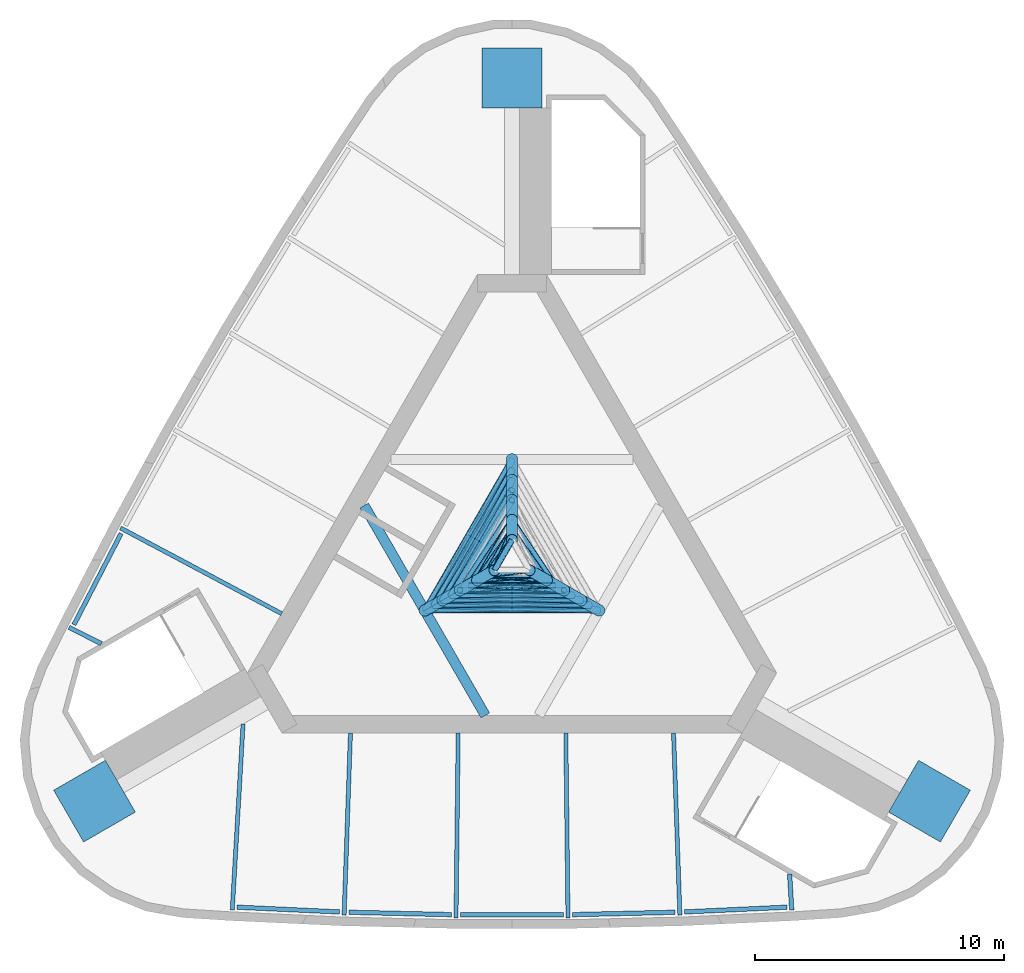
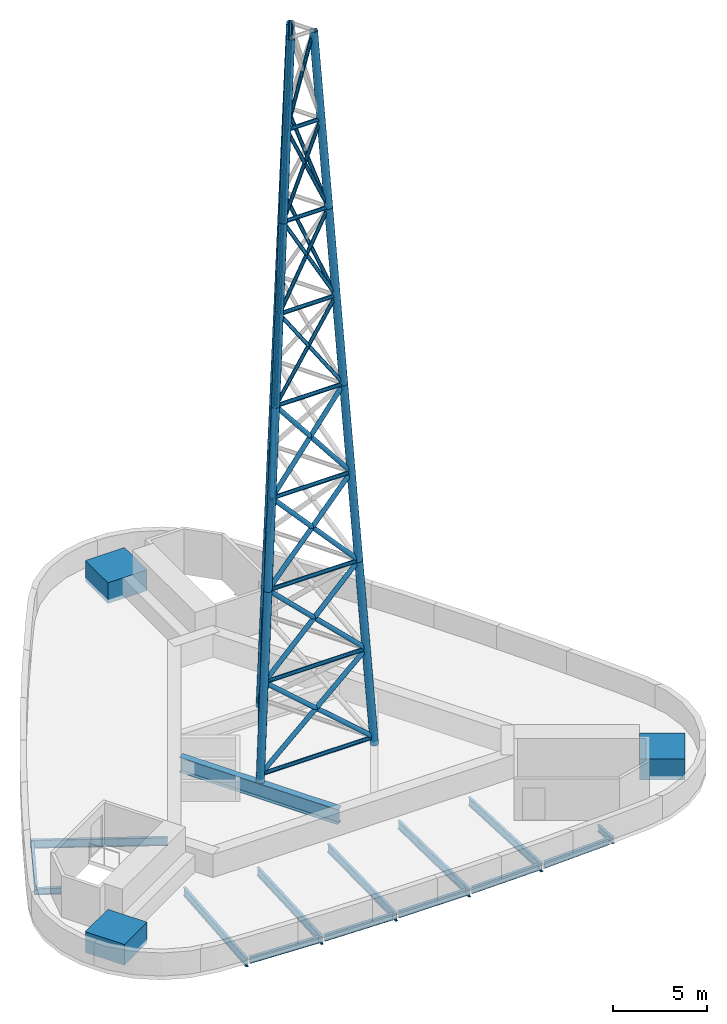
# One storey, part 1 of 4: 44 members, 15 beams, 15 columns.
"""IFC4 building model written with IfcOpenShell, lengths in metres."""

from ifc_helpers import new_model, si_unit, direction, frame, origin, origin_2d, place, context, subcontext, project, spatial, rectangle, hollow_circle, i_section, extrude, material, material_profile, profile_set, type_object, element, save


model = new_model("IFC4")

# Units and contexts
model_context = context("Model", 3, precision=1e-05, world=origin(), true_north=direction((0.0, 1.0)))
body_context = subcontext(model_context, "Body", "Model", "MODEL_VIEW")
ifc_project = project(units=[si_unit("LENGTHUNIT", "METRE"), si_unit("AREAUNIT", "SQUARE_METRE"), si_unit("VOLUMEUNIT", "CUBIC_METRE"), si_unit("PLANEANGLEUNIT", "RADIAN"), si_unit("MASSUNIT", "GRAM", prefix="KILO")], contexts=[model_context])

# Site, building, storey
site_placement = place(None, origin())
site = spatial("IfcSite", under=ifc_project, at=site_placement, CompositionType="ELEMENT")
building_placement = place(site_placement, origin())
building = spatial("IfcBuilding", under=site, at=building_placement, Name="Noor Cloister Tower", CompositionType="ELEMENT")
storey_placement = place(building_placement, frame((0.0, 0.0, 306.60009765625)))
storey = spatial("IfcBuildingStorey", under=building, at=storey_placement, Name="Roof", CompositionType="ELEMENT", Elevation=306.60009765625)

# Columns
ifc_material_1 = material(Name="Concrete C50/60", Category="concrete")
ifc_material_profile_1 = material_profile(ifc_material_1, rectangle(XDim=2.39990234375, YDim=2.39990234375, at=origin_2d()), Name="RC 2400x2400")
ifc_profile_set_1 = profile_set([ifc_material_profile_1], Name="Concrete C50/60")
column_type_1 = type_object("IfcColumnType", Name="Corner pier 2400 x 2400 C50/60", PredefinedType="COLUMN", material=ifc_profile_set_1)
for number, where, z_axis, x_axis, name in (
    (1, (0.0, 19.3349609375, -0.25), (0.0, 0.0, 1.0), (0.0, 1.0, 0.0), "Corner pier N Roof"),
    (2, (-16.74462890625, -9.66748046875, -0.25), (0.0, 0.0, 1.0), (-0.866025403784, -0.5, 0.0), "Corner pier SW Roof"),
    (3, (16.74462890625, -9.66748046875, -0.25), (0.0, 0.0, 1.0), (0.866025403784, -0.5, 0.0), "Corner pier SE Roof"),
):
    element("IfcColumn", number, at=place(storey_placement, frame(where, z_axis=z_axis, x_axis=x_axis)), inside=storey, type_object=column_type_1, Name=name, PredefinedType="COLUMN", context=body_context, shape_type="SweptSolid", body=[
        extrude(rectangle(XDim=2.39990234375, YDim=2.39990234375, at=origin_2d()), origin(), (0.0, 0.0, 1.0), 1.349853515625),
    ])
ifc_material_2 = material(Name="Steel ASTM A500 Gr C", Category="steel")
ifc_material_profile_2 = material_profile(ifc_material_2, hollow_circle(Radius=0.228515625, WallThickness=0.0126953125, at=origin_2d()), Name="HSS457.2x12.7")
ifc_profile_set_2 = profile_set([ifc_material_profile_2], Name="Steel ASTM A500 Gr C")
column_type_2 = type_object("IfcColumnType", Name="MAST LEG HSS457.2x12.7", PredefinedType="COLUMN", material=ifc_profile_set_2)
for number, where, z_axis, x_axis, name in (
    (4, (0.0, 2.4091796875, 24.599853515625), (0.0, -0.069745942034, 0.997564786653), (1.0, 0.0, 0.0), "MAST LEG 1-3"),
    (5, (-2.08642578125, -1.20458984375, 24.599853515625), (0.060387002205, 0.034862379927, 0.997566050159), (-0.499977712642, 0.866038271014, 0.0), "MAST LEG 2-3"),
    (6, (2.08642578125, -1.20458984375, 24.599853515625), (-0.060387002205, 0.034862379927, 0.997566050159), (-0.499977712642, -0.866038271014, 0.0), "MAST LEG 3-3"),
):
    element("IfcColumn", number, at=place(storey_placement, frame(where, z_axis=z_axis, x_axis=x_axis)), inside=storey, type_object=column_type_2, Name=name, PredefinedType="COLUMN", context=body_context, shape_type="SweptSolid", body=[
        extrude(hollow_circle(Radius=0.228515625, WallThickness=0.0126953125, at=origin_2d()), origin(), (0.0, 0.0, 1.0), 11.477783203125),
    ])
ifc_material_3 = material(Name="Steel ASTM A500 Gr C", Category="steel")
ifc_material_profile_3 = material_profile(ifc_material_3, hollow_circle(Radius=0.228515625, WallThickness=0.01904296875, at=origin_2d()), Name="HSS457.2x19.0")
ifc_profile_set_3 = profile_set([ifc_material_profile_3], Name="Steel ASTM A500 Gr C")
column_type_3 = type_object("IfcColumnType", Name="MAST LEG HSS457.2x19.0", PredefinedType="COLUMN", material=ifc_profile_set_3)
for number, where, z_axis, x_axis, name in (
    (7, (0.0, 3.20947265625, 13.14990234375), (0.0, -0.069724774965, 0.997566266348), (1.0, 0.0, 0.0), "MAST LEG 1-2"),
    (8, (-2.779541015625, -1.604736328125, 13.14990234375), (0.060387002205, 0.034862379927, 0.997566050159), (-0.499977712642, 0.866038271014, 0.0), "MAST LEG 2-2"),
    (9, (2.779541015625, -1.604736328125, 13.14990234375), (-0.060387002205, 0.034862379927, 0.997566050159), (-0.499977712642, -0.866038271014, 0.0), "MAST LEG 3-2"),
):
    element("IfcColumn", number, at=place(storey_placement, frame(where, z_axis=z_axis, x_axis=x_axis)), inside=storey, type_object=column_type_3, Name=name, PredefinedType="COLUMN", context=body_context, shape_type="SweptSolid", body=[
        extrude(hollow_circle(Radius=0.228515625, WallThickness=0.01904296875, at=origin_2d()), origin(), (0.0, 0.0, 1.0), 11.477783203125),
    ])
ifc_material_4 = material(Name="Steel ASTM A500 Gr C", Category="steel")
ifc_material_profile_4 = material_profile(ifc_material_4, hollow_circle(Radius=0.228515625, WallThickness=0.022216796875, at=origin_2d()), Name="HSS457.2x22.2")
ifc_profile_set_4 = profile_set([ifc_material_profile_4], Name="Steel ASTM A500 Gr C")
column_type_4 = type_object("IfcColumnType", Name="MAST LEG HSS457.2x22.2", PredefinedType="COLUMN", material=ifc_profile_set_4)
for number, where, z_axis, x_axis, name in (
    (10, (0.0, 4.04150390625, 1.25), (0.0, -0.069748883754, 0.997564580975), (1.0, 0.0, 0.0), "MAST LEG 1-1"),
    (11, (-3.5, -2.020751953125, 1.25), (0.060395851362, 0.03487445975, 0.99756509221), (-0.500052679717, 0.865994986999, 0.0), "MAST LEG 2-1"),
    (12, (3.5, -2.020751953125, 1.25), (-0.060395851362, 0.03487445975, 0.99756509221), (-0.500052679717, -0.865994986999, 0.0), "MAST LEG 3-1"),
):
    element("IfcColumn", number, at=place(storey_placement, frame(where, z_axis=z_axis, x_axis=x_axis)), inside=storey, type_object=column_type_4, Name=name, PredefinedType="COLUMN", context=body_context, shape_type="SweptSolid", body=[
        extrude(hollow_circle(Radius=0.228515625, WallThickness=0.022216796875, at=origin_2d()), origin(), (0.0, 0.0, 1.0), 11.928955078125),
    ])
ifc_material_5 = material(Name="Steel ASTM A500 Gr C", Category="steel")
ifc_material_profile_5 = material_profile(ifc_material_5, hollow_circle(Radius=0.228515625, WallThickness=0.009521484375, at=origin_2d()), Name="HSS457.2x9.5")
ifc_profile_set_5 = profile_set([ifc_material_profile_5], Name="Steel ASTM A500 Gr C")
column_type_5 = type_object("IfcColumnType", Name="MAST LEG HSS457.2x9.5", PredefinedType="COLUMN", material=ifc_profile_set_5)
column_placement = place(storey_placement, frame((0.0, 1.608642578125, 36.0498046875), z_axis=(0.0, -0.069723295523, 0.997566369753), x_axis=(1.0, 0.0, 0.0)))
element("IfcColumn", 13, at=column_placement, inside=storey, type_object=column_type_5, Name="MAST LEG 1-4", PredefinedType="COLUMN", context=body_context, shape_type="SweptSolid", body=[
    extrude(hollow_circle(Radius=0.228515625, WallThickness=0.009521484375, at=origin_2d()), origin(), (0.0, 0.0, 1.0), 11.47802734375),
])
for number, where, z_axis, x_axis, name in (
    (14, (-1.393310546875, -0.804443359375, 36.0498046875), (0.060406868556, 0.034882839589, 0.997564132141), (-0.500074377092, 0.865982457891, 0.0), "MAST LEG 2-4"),
    (15, (1.393310546875, -0.804443359375, 36.0498046875), (-0.060406868556, 0.034882839589, 0.997564132141), (-0.500074377092, -0.865982457891, 0.0), "MAST LEG 3-4"),
):
    element("IfcColumn", number, at=place(storey_placement, frame(where, z_axis=z_axis, x_axis=x_axis)), inside=storey, type_object=column_type_5, Name=name, PredefinedType="COLUMN", context=body_context, shape_type="SweptSolid", body=[
        extrude(hollow_circle(Radius=0.228515625, WallThickness=0.009521484375, at=origin_2d()), origin(), (0.0, 0.0, 1.0), 11.478271484375),
    ])

# Members
ifc_material_6 = material(Name="Steel ASTM A500 Gr C", Category="steel")
ifc_material_profile_6 = material_profile(ifc_material_6, hollow_circle(Radius=0.109619140625, WallThickness=0.00830078125, at=origin_2d()), Name="HSS219.1x8.2")
ifc_profile_set_6 = profile_set([ifc_material_profile_6], Name="Steel ASTM A500 Gr C")
member_type_1 = type_object("IfcMemberType", Name="MAST BRACE HSS219.1x8.2", PredefinedType="BRACE", material=ifc_profile_set_6)
for number, where, z_axis, x_axis, name in (
    (16, (-2.08642578125, -1.20458984375, 24.599853515625), (0.302866667304, 0.466491217145, 0.831058196616), (-0.838733200922, 0.544542576546, 0.0), "MAST BRACE 1-5-2"),
    (17, (-2.08642578125, -1.20458984375, 24.599853515625), (0.555414255833, 0.029060725484, 0.831065869021), (-0.052251139643, 0.998633976193, 0.0), "MAST BRACE 2-5-1"),
    (18, (2.08642578125, -1.20458984375, 24.599853515625), (-0.555414255833, 0.029060725484, 0.831065869021), (-0.052251139643, -0.998633976193, 0.0), "MAST BRACE 2-5-2"),
):
    element("IfcMember", number, at=place(storey_placement, frame(where, z_axis=z_axis, x_axis=x_axis)), inside=storey, type_object=member_type_1, Name=name, PredefinedType="BRACE", context=body_context, shape_type="SweptSolid", body=[
        extrude(hollow_circle(Radius=0.109619140625, WallThickness=0.00830078125, at=origin_2d()), origin(), (0.0, 0.0, 1.0), 6.888916015625),
    ])
for number, where, z_axis, x_axis, name in (
    (19, (-1.73974609375, -1.00439453125, 30.324951171875), (0.266461946851, 0.400216421154, 0.876826577562), (-0.832385156989, 0.554197573456, 0.0), "MAST BRACE 1-6-2"),
    (20, (-1.73974609375, -1.00439453125, 30.324951171875), (0.479855770513, 0.030624318246, 0.876812745481), (-0.063690266944, 0.997969713917, 0.0), "MAST BRACE 2-6-1"),
    (21, (1.73974609375, -1.00439453125, 30.324951171875), (-0.479855770513, 0.030624318246, 0.876812745481), (-0.063690266944, -0.997969713917, 0.0), "MAST BRACE 2-6-2"),
    (22, (1.73974609375, -1.00439453125, 30.324951171875), (-0.266461946851, 0.400216421154, 0.876826577562), (-0.832385156989, -0.554197573456, 0.0), "MAST BRACE 3-6-1"),
):
    element("IfcMember", number, at=place(storey_placement, frame(where, z_axis=z_axis, x_axis=x_axis)), inside=storey, type_object=member_type_1, Name=name, PredefinedType="BRACE", context=body_context, shape_type="SweptSolid", body=[
        extrude(hollow_circle(Radius=0.109619140625, WallThickness=0.00830078125, at=origin_2d()), origin(), (0.0, 0.0, 1.0), 6.529052734375),
    ])
for number, where, z_axis, x_axis, name in (
    (23, (-1.393310546875, -0.804443359375, 36.0498046875), (0.223769103018, 0.32328303038, 0.919464774096), (-0.822242450439, 0.569137375944, 0.0), "MAST BRACE 1-7-2"),
    (24, (-1.393310546875, -0.804443359375, 36.0498046875), (0.391859823254, 0.032151796585, 0.919462963308), (-0.081774435386, 0.996650862498, 0.0), "MAST BRACE 2-7-1"),
    (25, (1.393310546875, -0.804443359375, 36.0498046875), (-0.391859823254, 0.032151796585, 0.919462963308), (-0.081774435386, -0.996650862498, 0.0), "MAST BRACE 2-7-2"),
    (26, (1.393310546875, -0.804443359375, 36.0498046875), (-0.223769103018, 0.32328303038, 0.919464774096), (-0.822242450439, -0.569137375944, 0.0), "MAST BRACE 3-7-1"),
):
    element("IfcMember", number, at=place(storey_placement, frame(where, z_axis=z_axis, x_axis=x_axis)), inside=storey, type_object=member_type_1, Name=name, PredefinedType="BRACE", context=body_context, shape_type="SweptSolid", body=[
        extrude(hollow_circle(Radius=0.109619140625, WallThickness=0.00830078125, at=origin_2d()), origin(), (0.0, 0.0, 1.0), 6.2265625),
    ])
for number, where, z_axis, x_axis, name in (
    (27, (0.0, 1.20849609375, 41.77490234375), (-0.116874640487, -0.269256016888, 0.95595058229), (0.917310557792, -0.398172501013, 0.0), "MAST BRACE 1-8-1"),
    (28, (-1.046630859375, -0.604248046875, 41.77490234375), (0.17476010912, 0.235867037875, 0.955942281053), (-0.80348584745, 0.595323855517, 0.0), "MAST BRACE 1-8-2"),
    (29, (-1.046630859375, -0.604248046875, 41.77490234375), (0.291634715847, 0.03342751845, 0.955945497151), (-0.113875582215, 0.993495018495, 0.0), "MAST BRACE 2-8-1"),
):
    element("IfcMember", number, at=place(storey_placement, frame(where, z_axis=z_axis, x_axis=x_axis)), inside=storey, type_object=member_type_1, Name=name, PredefinedType="BRACE", context=body_context, shape_type="SweptSolid", body=[
        extrude(hollow_circle(Radius=0.109619140625, WallThickness=0.00830078125, at=origin_2d()), origin(), (0.0, 0.0, 1.0), 5.989013671875),
    ])
ifc_material_7 = material(Name="Steel ASTM A500 Gr C", Category="steel")
ifc_material_profile_7 = material_profile(ifc_material_7, hollow_circle(Radius=0.136474609375, WallThickness=0.009521484375, at=origin_2d()), Name="HSS273.1x9.5")
ifc_profile_set_7 = profile_set([ifc_material_profile_7], Name="Steel ASTM A500 Gr C")
member_type_2 = type_object("IfcMemberType", Name="MAST BRACE HSS273.1x9.5", PredefinedType="BRACE", material=ifc_profile_set_7)
member_1_placement = place(storey_placement, frame((0.0, 4.010009765625, 1.699951171875), z_axis=(-0.357754042713, -0.665442076481, 0.655132725309), x_axis=(0.880780828243, -0.473524162635, 0.0)))
element("IfcMember", 30, at=member_1_placement, inside=storey, type_object=member_type_2, Name="MAST BRACE 1-1-1", PredefinedType="BRACE", context=body_context, shape_type="SweptSolid", body=[
    extrude(hollow_circle(Radius=0.136474609375, WallThickness=0.009521484375, at=origin_2d()), origin(), (0.0, 0.0, 1.0), 8.738525390625),
])
for number, where, z_axis, x_axis, name in (
    (31, (-3.47265625, -2.0048828125, 1.699951171875), (0.39740436974, 0.642541176553, 0.655141666623), (-0.850477866723, 0.526010834693, 0.0), "MAST BRACE 1-1-2"),
    (32, (-3.47265625, -2.0048828125, 1.699951171875), (0.755161107596, 0.022881976659, 0.655139768842), (-0.030286887465, 0.999541246997, 0.0), "MAST BRACE 2-1-1"),
    (33, (3.47265625, -2.0048828125, 1.699951171875), (-0.755161107596, 0.022881976659, 0.655139768842), (-0.030286887465, -0.999541246997, 0.0), "MAST BRACE 2-1-2"),
):
    element("IfcMember", number, at=place(storey_placement, frame(where, z_axis=z_axis, x_axis=x_axis)), inside=storey, type_object=member_type_2, Name=name, PredefinedType="BRACE", context=body_context, shape_type="SweptSolid", body=[
        extrude(hollow_circle(Radius=0.136474609375, WallThickness=0.009521484375, at=origin_2d()), origin(), (0.0, 0.0, 1.0), 8.73828125),
    ])
member_2_placement = place(storey_placement, frame((0.0, 3.60986328125, 7.4248046875), z_axis=(-0.337828234702, -0.633787726394, 0.695834176878), x_axis=(0.882463854545, -0.47038021368, 0.0)))
element("IfcMember", 34, at=member_2_placement, inside=storey, type_object=member_type_2, Name="MAST BRACE 1-2-1", PredefinedType="BRACE", context=body_context, shape_type="SweptSolid", body=[
    extrude(hollow_circle(Radius=0.136474609375, WallThickness=0.009521484375, at=origin_2d()), origin(), (0.0, 0.0, 1.0), 8.227783203125),
])
member_3_placement = place(storey_placement, frame((-3.126220703125, -1.804931640625, 7.4248046875), z_axis=(0.379965132951, 0.609457545153, 0.695836186467), x_axis=(-0.848589661957, 0.529051590698, 0.0)))
element("IfcMember", 35, at=member_3_placement, inside=storey, type_object=member_type_2, Name="MAST BRACE 1-2-2", PredefinedType="BRACE", context=body_context, shape_type="SweptSolid", body=[
    extrude(hollow_circle(Radius=0.136474609375, WallThickness=0.009521484375, at=origin_2d()), origin(), (0.0, 0.0, 1.0), 8.2275390625),
])
for number, where, z_axis, x_axis, name in (
    (36, (-3.126220703125, -1.804931640625, 7.4248046875), (0.717791197786, 0.02433190501, 0.695833137167), (-0.033878845666, 0.99942594714, 0.0), "MAST BRACE 2-2-1"),
    (37, (3.126220703125, -1.804931640625, 7.4248046875), (-0.717791197786, 0.02433190501, 0.695833137167), (-0.033878845666, -0.99942594714, 0.0), "MAST BRACE 2-2-2"),
):
    element("IfcMember", number, at=place(storey_placement, frame(where, z_axis=z_axis, x_axis=x_axis)), inside=storey, type_object=member_type_2, Name=name, PredefinedType="BRACE", context=body_context, shape_type="SweptSolid", body=[
        extrude(hollow_circle(Radius=0.136474609375, WallThickness=0.009521484375, at=origin_2d()), origin(), (0.0, 0.0, 1.0), 8.227783203125),
    ])
for number, where, z_axis, x_axis, name in (
    (38, (0.0, 3.20947265625, 13.14990234375), (-0.314115254422, -0.595763001363, 0.739187427617), (0.884577877416, -0.466392515791, 0.0), "MAST BRACE 1-3-1"),
    (39, (-2.779541015625, -1.604736328125, 13.14990234375), (0.358877460904, 0.569916951528, 0.739189851402), (-0.846205483352, 0.532856716149, 0.0), "MAST BRACE 1-3-2"),
    (40, (-2.779541015625, -1.604736328125, 13.14990234375), (0.672997544944, 0.025816627134, 0.739194024775), (-0.038332462232, 0.999265041087, 0.0), "MAST BRACE 2-3-1"),
    (41, (2.779541015625, -1.604736328125, 13.14990234375), (-0.672997544944, 0.025816627134, 0.739194024775), (-0.038332462232, -0.999265041087, 0.0), "MAST BRACE 2-3-2"),
):
    element("IfcMember", number, at=place(storey_placement, frame(where, z_axis=z_axis, x_axis=x_axis)), inside=storey, type_object=member_type_2, Name=name, PredefinedType="BRACE", context=body_context, shape_type="SweptSolid", body=[
        extrude(hollow_circle(Radius=0.136474609375, WallThickness=0.009521484375, at=origin_2d()), origin(), (0.0, 0.0, 1.0), 7.7451171875),
    ])
member_4_placement = place(storey_placement, frame((-2.432861328125, -1.40478515625, 18.875), z_axis=(0.333427981952, 0.522710680789, 0.784601379709), x_axis=(-0.843081003034, 0.537786595522, 0.0)))
element("IfcMember", 42, at=member_4_placement, inside=storey, type_object=member_type_2, Name="MAST BRACE 1-4-2", PredefinedType="BRACE", context=body_context, shape_type="SweptSolid", body=[
    extrude(hollow_circle(Radius=0.136474609375, WallThickness=0.009521484375, at=origin_2d()), origin(), (0.0, 0.0, 1.0), 7.296630859375),
])
for number, where, z_axis, x_axis, name in (
    (43, (-2.432861328125, -1.40478515625, 18.875), (0.619382799494, 0.02743740995, 0.784609543803), (-0.044254585622, 0.999020285906, 0.0), "MAST BRACE 2-4-1"),
    (44, (2.432861328125, -1.40478515625, 18.875), (-0.619382799494, 0.02743740995, 0.784609543803), (-0.044254585622, -0.999020285906, 0.0), "MAST BRACE 2-4-2"),
):
    element("IfcMember", number, at=place(storey_placement, frame(where, z_axis=z_axis, x_axis=x_axis)), inside=storey, type_object=member_type_2, Name=name, PredefinedType="BRACE", context=body_context, shape_type="SweptSolid", body=[
        extrude(hollow_circle(Radius=0.136474609375, WallThickness=0.009521484375, at=origin_2d()), origin(), (0.0, 0.0, 1.0), 7.29638671875),
    ])
ifc_material_8 = material(Name="Steel ASTM A500 Gr C", Category="steel")
ifc_material_profile_8 = material_profile(ifc_material_8, hollow_circle(Radius=0.1220703125, WallThickness=0.008056640625, at=origin_2d()), Name="HSS244.5x7.9")
ifc_profile_set_8 = profile_set([ifc_material_profile_8], Name="Steel ASTM A500 Gr C")
member_type_3 = type_object("IfcMemberType", Name="MAST RING HSS244.5x7.9", PredefinedType="STRUT", material=ifc_profile_set_8)
for number, where, z_axis, x_axis, name in (
    (45, (0.0, 4.010009765625, 1.699951171875), (-0.49999529192, -0.866028121979, 0.0), (0.866028121979, -0.49999529192, 0.0), "MAST RING 1-0"),
    (46, (-3.47265625, -2.0048828125, 1.699951171875), (1.0, 0.0, 0.0), (0.0, 1.0, 0.0), "MAST RING 2-0"),
):
    element("IfcMember", number, at=place(storey_placement, frame(where, z_axis=z_axis, x_axis=x_axis)), inside=storey, type_object=member_type_3, Name=name, PredefinedType="STRUT", context=body_context, shape_type="SweptSolid", body=[
        extrude(hollow_circle(Radius=0.1220703125, WallThickness=0.008056640625, at=origin_2d()), origin(), (0.0, 0.0, 1.0), 6.9453125),
    ])
for number, where, z_axis, x_axis, name in (
    (47, (0.0, 3.60986328125, 7.4248046875), (-0.499998488279, -0.866026276575, 0.0), (0.866026276575, -0.499998488279, 0.0), "MAST RING 1-1"),
    (48, (-3.126220703125, -1.804931640625, 7.4248046875), (1.0, 0.0, 0.0), (0.0, 1.0, 0.0), "MAST RING 2-1"),
):
    element("IfcMember", number, at=place(storey_placement, frame(where, z_axis=z_axis, x_axis=x_axis)), inside=storey, type_object=member_type_3, Name=name, PredefinedType="STRUT", context=body_context, shape_type="SweptSolid", body=[
        extrude(hollow_circle(Radius=0.1220703125, WallThickness=0.008056640625, at=origin_2d()), origin(), (0.0, 0.0, 1.0), 6.25244140625),
    ])
for number, where, z_axis, x_axis, name in (
    (49, (0.0, 3.20947265625, 13.14990234375), (-0.500007577232, -0.866021029023, 0.0), (0.866021029023, -0.500007577232, 0.0), "MAST RING 1-2"),
    (50, (-2.779541015625, -1.604736328125, 13.14990234375), (1.0, 0.0, 0.0), (0.0, 1.0, 0.0), "MAST RING 2-2"),
):
    element("IfcMember", number, at=place(storey_placement, frame(where, z_axis=z_axis, x_axis=x_axis)), inside=storey, type_object=member_type_3, Name=name, PredefinedType="STRUT", context=body_context, shape_type="SweptSolid", body=[
        extrude(hollow_circle(Radius=0.1220703125, WallThickness=0.008056640625, at=origin_2d()), origin(), (0.0, 0.0, 1.0), 5.55908203125),
    ])
member_5_placement = place(storey_placement, frame((0.0, 2.809326171875, 18.875), z_axis=(-0.499975803918, -0.866039372948, 0.0), x_axis=(0.866039372948, -0.499975803918, 0.0)))
element("IfcMember", 51, at=member_5_placement, inside=storey, type_object=member_type_3, Name="MAST RING 1-3", PredefinedType="STRUT", context=body_context, shape_type="SweptSolid", body=[
    extrude(hollow_circle(Radius=0.1220703125, WallThickness=0.008056640625, at=origin_2d()), origin(), (0.0, 0.0, 1.0), 4.865966796875),
])
member_6_placement = place(storey_placement, frame((-2.432861328125, -1.40478515625, 18.875), z_axis=(1.0, 0.0, 0.0), x_axis=(0.0, 1.0, 0.0)))
element("IfcMember", 52, at=member_6_placement, inside=storey, type_object=member_type_3, Name="MAST RING 2-3", PredefinedType="STRUT", context=body_context, shape_type="SweptSolid", body=[
    extrude(hollow_circle(Radius=0.1220703125, WallThickness=0.008056640625, at=origin_2d()), origin(), (0.0, 0.0, 1.0), 4.86572265625),
])
member_7_placement = place(storey_placement, frame((-2.08642578125, -1.20458984375, 24.599853515625), z_axis=(1.0, 0.0, 0.0), x_axis=(0.0, 1.0, 0.0)))
element("IfcMember", 53, at=member_7_placement, inside=storey, type_object=member_type_3, Name="MAST RING 2-4", PredefinedType="STRUT", context=body_context, shape_type="SweptSolid", body=[
    extrude(hollow_circle(Radius=0.1220703125, WallThickness=0.008056640625, at=origin_2d()), origin(), (0.0, 0.0, 1.0), 4.1728515625),
])
member_8_placement = place(storey_placement, frame((-1.73974609375, -1.00439453125, 30.324951171875), z_axis=(1.0, 0.0, 0.0), x_axis=(0.0, 1.0, 0.0)))
element("IfcMember", 54, at=member_8_placement, inside=storey, type_object=member_type_3, Name="MAST RING 2-5", PredefinedType="STRUT", context=body_context, shape_type="SweptSolid", body=[
    extrude(hollow_circle(Radius=0.1220703125, WallThickness=0.008056640625, at=origin_2d()), origin(), (0.0, 0.0, 1.0), 3.4794921875),
])
member_9_placement = place(storey_placement, frame((0.0, 1.608642578125, 36.0498046875), z_axis=(-0.500030880729, -0.866007574053, 0.0), x_axis=(0.866007574053, -0.500030880729, 0.0)))
element("IfcMember", 55, at=member_9_placement, inside=storey, type_object=member_type_3, Name="MAST RING 1-6", PredefinedType="STRUT", context=body_context, shape_type="SweptSolid", body=[
    extrude(hollow_circle(Radius=0.1220703125, WallThickness=0.008056640625, at=origin_2d()), origin(), (0.0, 0.0, 1.0), 2.786376953125),
])
member_10_placement = place(storey_placement, frame((-1.393310546875, -0.804443359375, 36.0498046875), z_axis=(1.0, 0.0, 0.0), x_axis=(0.0, 1.0, 0.0)))
element("IfcMember", 56, at=member_10_placement, inside=storey, type_object=member_type_3, Name="MAST RING 2-6", PredefinedType="STRUT", context=body_context, shape_type="SweptSolid", body=[
    extrude(hollow_circle(Radius=0.1220703125, WallThickness=0.008056640625, at=origin_2d()), origin(), (0.0, 0.0, 1.0), 2.78662109375),
])
for number, where, z_axis, x_axis, name in (
    (57, (0.0, 1.20849609375, 41.77490234375), (-0.5000152428, -0.866016603171, 0.0), (0.866016603171, -0.5000152428, 0.0), "MAST RING 1-7"),
    (58, (-1.046630859375, -0.604248046875, 41.77490234375), (1.0, 0.0, 0.0), (0.0, 1.0, 0.0), "MAST RING 2-7"),
):
    element("IfcMember", number, at=place(storey_placement, frame(where, z_axis=z_axis, x_axis=x_axis)), inside=storey, type_object=member_type_3, Name=name, PredefinedType="STRUT", context=body_context, shape_type="SweptSolid", body=[
        extrude(hollow_circle(Radius=0.1220703125, WallThickness=0.008056640625, at=origin_2d()), origin(), (0.0, 0.0, 1.0), 2.09326171875),
    ])
member_11_placement = place(storey_placement, frame((0.0, 0.808349609375, 47.5), z_axis=(-0.49998411664, -0.866034573852, 0.0), x_axis=(0.866034573852, -0.49998411664, 0.0)))
element("IfcMember", 59, at=member_11_placement, inside=storey, type_object=member_type_3, Name="MAST RING 1-8", PredefinedType="STRUT", context=body_context, shape_type="SweptSolid", body=[
    extrude(hollow_circle(Radius=0.1220703125, WallThickness=0.008056640625, at=origin_2d()), origin(), (0.0, 0.0, 1.0), 1.39990234375),
])

# Beams
ifc_material_9 = material(Name="Steel ASTM A992 Gr 50", Category="steel")
ifc_material_profile_9 = material_profile(ifc_material_9, i_section(OverallWidth=0.40087890625, OverallDepth=0.98291015625, WebThickness=0.0166015625, FlangeThickness=0.027099609375, FilletRadius=0.030029296875, at=origin_2d()), Name="W1000x296")
ifc_profile_set_9 = profile_set([ifc_material_profile_9], Name="Steel ASTM A992 Gr 50")
beam_type_1 = type_object("IfcBeamType", Name="Mast plinth beam W1000x296", PredefinedType="BEAM", material=ifc_profile_set_9)
beam_1_placement = place(storey_placement, frame((-5.92919921875, 2.186767578125, 0.75830078125), z_axis=(0.499997944509, -0.866026590519, 0.0), x_axis=(0.866026590519, 0.499997944509, 0.0)))
element("IfcBeam", 60, at=beam_1_placement, inside=storey, type_object=beam_type_1, Name="MAST PLINTH BEAM SW", PredefinedType="BEAM", context=body_context, shape_type="SweptSolid", body=[
    extrude(i_section(OverallWidth=0.40087890625, OverallDepth=0.98291015625, WebThickness=0.0166015625, FlangeThickness=0.027099609375, FilletRadius=0.030029296875, at=origin_2d()), origin(), (0.0, 0.0, 1.0), 9.716796875),
])
ifc_material_10 = material(Name="Steel ASTM A992 Gr 50", Category="steel")
ifc_material_profile_10 = material_profile(ifc_material_10, i_section(OverallWidth=0.177978515625, OverallDepth=0.406005859375, WebThickness=0.0078125, FlangeThickness=0.0126953125, FilletRadius=0.01025390625, at=origin_2d()), Name="W410x60")
ifc_profile_set_10 = profile_set([ifc_material_profile_10], Name="Steel ASTM A992 Gr 50")
beam_type_2 = type_object("IfcBeamType", Name="Radial beam W410x60", PredefinedType="BEAM", material=ifc_profile_set_10)
for number, where, z_axis, x_axis, name in (
    (61, (-17.762451171875, -2.69921875, -0.453125), (0.893513410786, -0.449036507141, 0.0), (0.449036507141, 0.893513410786, 0.0), "Radial beam NW 06 Roof"),
    (62, (11.218994140625, -14.033203125, -0.453125), (-0.058088486933, 0.998311438222, 0.0), (-0.998311438222, -0.058088486933, 0.0), "Radial beam S 06 Roof"),
):
    element("IfcBeam", number, at=place(storey_placement, frame(where, z_axis=z_axis, x_axis=x_axis)), inside=storey, type_object=beam_type_2, Name=name, PredefinedType="BEAM", context=body_context, shape_type="SweptSolid", body=[
        extrude(i_section(OverallWidth=0.177978515625, OverallDepth=0.406005859375, WebThickness=0.0078125, FlangeThickness=0.0126953125, FilletRadius=0.01025390625, at=origin_2d()), origin(), (0.0, 0.0, 1.0), 1.44580078125),
    ])
ifc_material_11 = material(Name="Steel ASTM A992 Gr 50", Category="steel")
ifc_material_profile_11 = material_profile(ifc_material_11, i_section(OverallWidth=0.166015625, OverallDepth=0.528076171875, WebThickness=0.009765625, FlangeThickness=0.013671875, FilletRadius=0.0126953125, at=origin_2d()), Name="W530x74")
ifc_profile_set_11 = profile_set([ifc_material_profile_11], Name="Steel ASTM A992 Gr 50")
beam_type_3 = type_object("IfcBeamType", Name="Radial beam W530x74", PredefinedType="BEAM", material=ifc_profile_set_11)
beam_2_placement = place(storey_placement, frame((-15.7001953125, 1.2890625, -0.51416015625), z_axis=(0.882900936167, -0.469559300745, 0.0), x_axis=(0.469559300745, 0.882900936167, 0.0)))
element("IfcBeam", 63, at=beam_2_placement, inside=storey, type_object=beam_type_3, Name="Radial beam NW 05 Roof", PredefinedType="BEAM", context=body_context, shape_type="SweptSolid", body=[
    extrude(i_section(OverallWidth=0.166015625, OverallDepth=0.528076171875, WebThickness=0.009765625, FlangeThickness=0.013671875, FilletRadius=0.0126953125, at=origin_2d()), origin(), (0.0, 0.0, 1.0), 7.317626953125),
])
beam_3_placement = place(storey_placement, frame((-11.218994140625, -14.033203125, -0.51416015625), z_axis=(0.057963519573, 0.998318701818, 0.0), x_axis=(-0.998318701818, 0.057963519573, 0.0)))
element("IfcBeam", 64, at=beam_3_placement, inside=storey, type_object=beam_type_3, Name="Radial beam S 01 Roof", PredefinedType="BEAM", context=body_context, shape_type="SweptSolid", body=[
    extrude(i_section(OverallWidth=0.166015625, OverallDepth=0.528076171875, WebThickness=0.009765625, FlangeThickness=0.013671875, FilletRadius=0.0126953125, at=origin_2d()), origin(), (0.0, 0.0, 1.0), 7.471923828125),
])
beam_4_placement = place(storey_placement, frame((-6.733642578125, -14.241455078125, -0.51416015625), z_axis=(0.034764484893, 0.999395532605, 0.0), x_axis=(-0.999395532605, 0.034764484893, 0.0)))
element("IfcBeam", 65, at=beam_4_placement, inside=storey, type_object=beam_type_3, Name="Radial beam S 02 Roof", PredefinedType="BEAM", context=body_context, shape_type="SweptSolid", body=[
    extrude(i_section(OverallWidth=0.166015625, OverallDepth=0.528076171875, WebThickness=0.009765625, FlangeThickness=0.013671875, FilletRadius=0.0126953125, at=origin_2d()), origin(), (0.0, 0.0, 1.0), 7.317626953125),
])
for number, where, z_axis, x_axis, name in (
    (66, (-2.244873046875, -14.345458984375, -0.51416015625), (0.011585411151, 0.999932886872, 0.0), (-0.999932886872, 0.011585411151, 0.0), "Radial beam S 03 Roof"),
    (67, (2.244873046875, -14.345458984375, -0.51416015625), (-0.011585411151, 0.999932886872, 0.0), (-0.999932886872, -0.011585411151, 0.0), "Radial beam S 04 Roof"),
):
    element("IfcBeam", number, at=place(storey_placement, frame(where, z_axis=z_axis, x_axis=x_axis)), inside=storey, type_object=beam_type_3, Name=name, PredefinedType="BEAM", context=body_context, shape_type="SweptSolid", body=[
        extrude(i_section(OverallWidth=0.166015625, OverallDepth=0.528076171875, WebThickness=0.009765625, FlangeThickness=0.013671875, FilletRadius=0.0126953125, at=origin_2d()), origin(), (0.0, 0.0, 1.0), 7.417724609375),
    ])
beam_5_placement = place(storey_placement, frame((6.733642578125, -14.241455078125, -0.51416015625), z_axis=(-0.034764484893, 0.999395532605, 0.0), x_axis=(-0.999395532605, -0.034764484893, 0.0)))
element("IfcBeam", 68, at=beam_5_placement, inside=storey, type_object=beam_type_3, Name="Radial beam S 05 Roof", PredefinedType="BEAM", context=body_context, shape_type="SweptSolid", body=[
    extrude(i_section(OverallWidth=0.166015625, OverallDepth=0.528076171875, WebThickness=0.009765625, FlangeThickness=0.013671875, FilletRadius=0.0126953125, at=origin_2d()), origin(), (0.0, 0.0, 1.0), 7.317626953125),
])
ifc_material_12 = material(Name="Steel ASTM A992 Gr 50", Category="steel")
ifc_material_profile_12 = material_profile(ifc_material_12, i_section(OverallWidth=0.177978515625, OverallDepth=0.406005859375, WebThickness=0.0078125, FlangeThickness=0.0126953125, FilletRadius=0.01025390625, at=origin_2d()), Name="W410x60")
ifc_profile_set_12 = profile_set([ifc_material_profile_12], Name="Steel ASTM A992 Gr 50")
beam_type_4 = type_object("IfcBeamType", Name="Spandrel beam W410x60", PredefinedType="SPANDREL", material=ifc_profile_set_12)
for number, where, z_axis, x_axis, name in (
    (69, (-15.677001953125, 1.068359375, -0.453125), (-0.459334235581, -0.888263508213, 0.0), (0.888263508213, -0.459334235581, 0.0), "Spandrel beam NW 05 Roof"),
    (70, (-11.028076171875, -13.919921875, -0.453125), (0.998925325351, -0.046348617801, 0.0), (0.046348617801, 0.998925325351, 0.0), "Spandrel beam S 01 Roof"),
):
    element("IfcBeam", number, at=place(storey_placement, frame(where, z_axis=z_axis, x_axis=x_axis)), inside=storey, type_object=beam_type_4, Name=name, PredefinedType="SPANDREL", context=body_context, shape_type="SweptSolid", body=[
        extrude(i_section(OverallWidth=0.177978515625, OverallDepth=0.406005859375, WebThickness=0.0078125, FlangeThickness=0.0126953125, FilletRadius=0.01025390625, at=origin_2d()), origin(), (0.0, 0.0, 1.0), 4.119140625),
    ])
beam_6_placement = place(storey_placement, frame((-6.545654296875, -14.123779296875, -0.453125), z_axis=(0.999731452345, -0.023173760841, 0.0), x_axis=(0.023173760841, 0.999731452345, 0.0)))
element("IfcBeam", 71, at=beam_6_placement, inside=storey, type_object=beam_type_4, Name="Spandrel beam S 02 Roof", PredefinedType="SPANDREL", context=body_context, shape_type="SweptSolid", body=[
    extrude(i_section(OverallWidth=0.177978515625, OverallDepth=0.406005859375, WebThickness=0.0078125, FlangeThickness=0.0126953125, FilletRadius=0.01025390625, at=origin_2d()), origin(), (0.0, 0.0, 1.0), 4.119384765625),
])
beam_7_placement = place(storey_placement, frame((-2.0595703125, -14.2236328125, -0.453125), z_axis=(1.0, 0.0, 0.0), x_axis=(0.0, 1.0, 0.0)))
element("IfcBeam", 72, at=beam_7_placement, inside=storey, type_object=beam_type_4, Name="Spandrel beam S 03 Roof", PredefinedType="SPANDREL", context=body_context, shape_type="SweptSolid", body=[
    extrude(i_section(OverallWidth=0.177978515625, OverallDepth=0.406005859375, WebThickness=0.0078125, FlangeThickness=0.0126953125, FilletRadius=0.01025390625, at=origin_2d()), origin(), (0.0, 0.0, 1.0), 4.119140625),
])
beam_8_placement = place(storey_placement, frame((2.427490234375, -14.21923828125, -0.453125), z_axis=(0.999731452345, 0.023173760841, 0.0), x_axis=(-0.023173760841, 0.999731452345, 0.0)))
element("IfcBeam", 73, at=beam_8_placement, inside=storey, type_object=beam_type_4, Name="Spandrel beam S 04 Roof", PredefinedType="SPANDREL", context=body_context, shape_type="SweptSolid", body=[
    extrude(i_section(OverallWidth=0.177978515625, OverallDepth=0.406005859375, WebThickness=0.0078125, FlangeThickness=0.0126953125, FilletRadius=0.01025390625, at=origin_2d()), origin(), (0.0, 0.0, 1.0), 4.119384765625),
])
beam_9_placement = place(storey_placement, frame((6.913330078125, -14.11083984375, -0.453125), z_axis=(0.998925325351, 0.046348617801, 0.0), x_axis=(-0.046348617801, 0.998925325351, 0.0)))
element("IfcBeam", 74, at=beam_9_placement, inside=storey, type_object=beam_type_4, Name="Spandrel beam S 05 Roof", PredefinedType="SPANDREL", context=body_context, shape_type="SweptSolid", body=[
    extrude(i_section(OverallWidth=0.177978515625, OverallDepth=0.406005859375, WebThickness=0.0078125, FlangeThickness=0.0126953125, FilletRadius=0.01025390625, at=origin_2d()), origin(), (0.0, 0.0, 1.0), 4.119140625),
])

save(model, "model.ifc")
